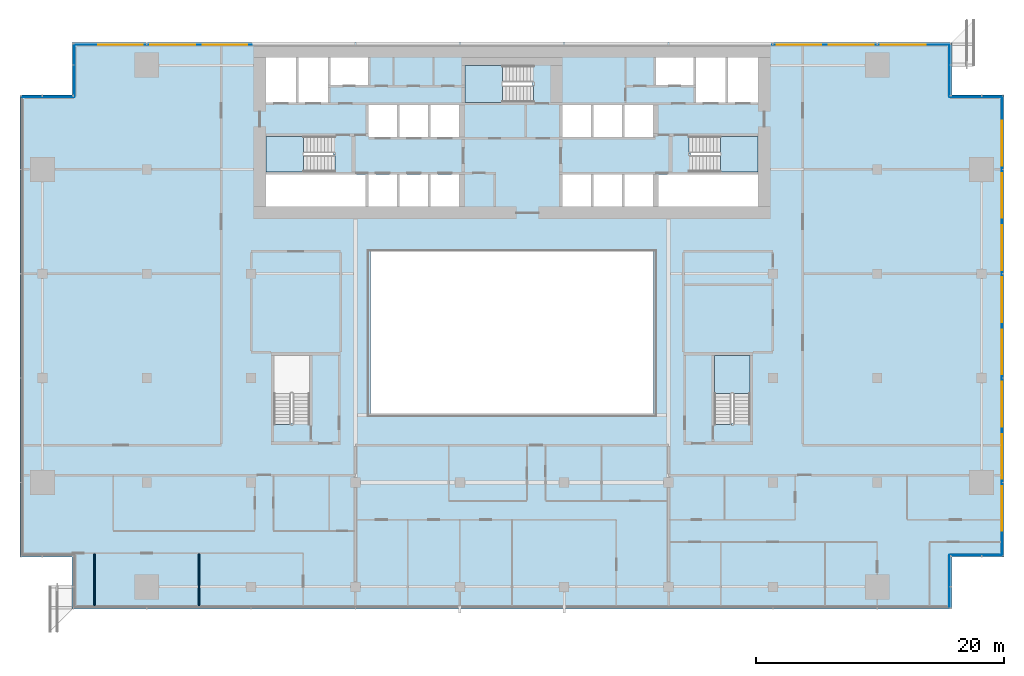
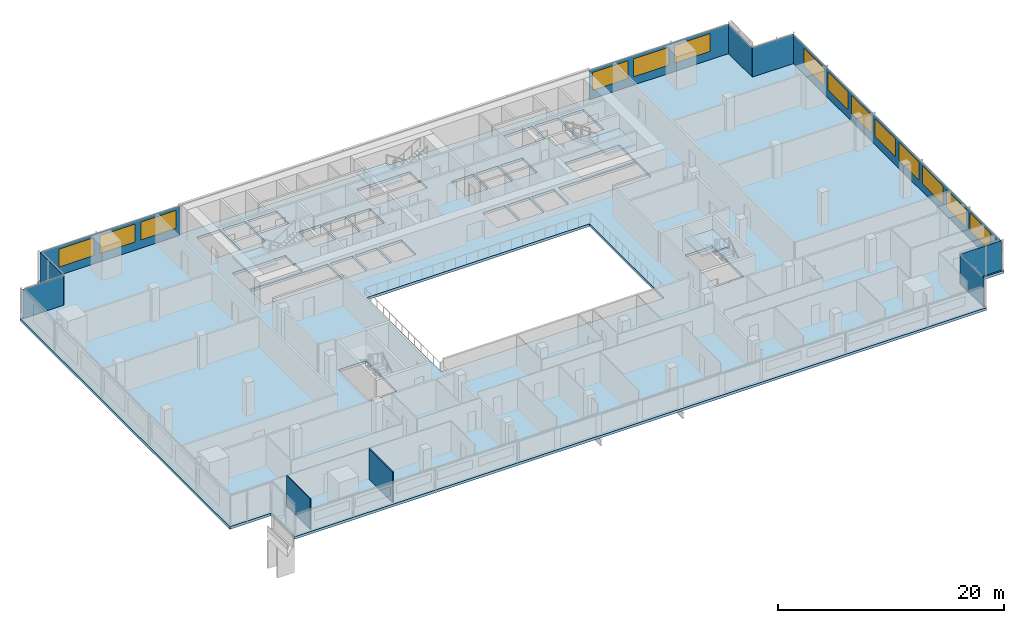
# One storey, part 16 of 26: 14 windows, 9 plates, 5 slabs, 2 walls, 14 openings, 12 elements without a shape of their own.
"""IFC4 building model written with IfcOpenShell, lengths in metres."""

from ifc_helpers import new_model, si_unit, direction, frame, frame_2d, origin, place, context, subcontext, project, spatial, polyline, rectangle, outline, extrude, material, layer, layer_set, type_object, element, fill, aggregate, save


model = new_model("IFC4")

# Units and contexts
model_context = context("Model", 3, precision=1e-05, world=origin(), true_north=direction((0.0, 1.0)))
body_context = subcontext(model_context, "Body", "Model", "MODEL_VIEW")
ifc_project = project(units=[si_unit("LENGTHUNIT", "METRE"), si_unit("AREAUNIT", "SQUARE_METRE"), si_unit("VOLUMEUNIT", "CUBIC_METRE"), si_unit("PLANEANGLEUNIT", "RADIAN"), si_unit("MASSUNIT", "GRAM", prefix="KILO")], contexts=[model_context])

# Site, building, storey
site_placement = place(None, origin())
site = spatial("IfcSite", under=ifc_project, at=site_placement, CompositionType="ELEMENT")
building_placement = place(site_placement, origin())
building = spatial("IfcBuilding", under=site, at=building_placement, Name="Saffron Gate Tower", CompositionType="ELEMENT")
storey_placement = place(building_placement, frame((0.0, 0.0, 138.449951171875)))
storey = spatial("IfcBuildingStorey", under=building, at=storey_placement, Name="L33", CompositionType="ELEMENT", Elevation=138.449951171875)

# Curtain wall, plate, openings, windows
ifc_material_1 = material(Name="Aluminium, bronze anodised", Category="aluminium")
curtain_wall_type_1 = type_object("IfcCurtainWallType", Name="CWS2 curtain wall side facades", PredefinedType="NOTDEFINED", material=ifc_material_1)
curtain_wall_1_placement = place(storey_placement, origin())
curtain_wall_1 = element("IfcCurtainWall", 1, at=curtain_wall_1_placement, inside=storey, type_object=curtain_wall_type_1, Name="CWS2 run 4", PredefinedType="NOTDEFINED")
ifc_material_2 = material(Name="Fritted bronze-tinted laminated glass", Category="glass")
ifc_layer_1 = layer(ifc_material_2, 0.028076171875)
ifc_layer_set_1 = layer_set([ifc_layer_1], Name="CWS2 fixed glass")
plate_type_1 = type_object("IfcPlateType", Name="CWS2 fixed glass", PredefinedType="CURTAIN_PANEL", material=ifc_layer_set_1)
plate_1_placement = place(storey_placement, frame((127.02587890625, 34.387939453125, 0.0), z_axis=(0.0, 0.0, 1.0), x_axis=(0.0, 1.0, 0.0)))
plate_1 = element("IfcPlate", 2, at=plate_1_placement, type_object=plate_type_1, Name="CWS2 glass panel", PredefinedType="CURTAIN_PANEL", context=body_context, shape_type="SweptSolid", body=[
    extrude(rectangle(XDim=36.823974609375, YDim=0.028076171875, at=frame_2d((18.412109375, 0.0))), origin(), (0.0, 0.0, 1.0), 3.179931640625),
])
opening_1_placement = place(plate_1_placement, frame((1.912109375, 0.0, 0.89990234375)))
opening_1 = element("IfcOpeningElement", 3, at=opening_1_placement, cuts=plate_1, Name="Opening W2", PredefinedType="OPENING", context=body_context, shape_type="SweptSolid", body=[
    extrude(rectangle(XDim=3.60009765625, YDim=1.929931640625, at=frame_2d((1.800048828125, 0.96484375))), frame((0.0, 0.02392578125, 0.0), z_axis=(0.0, -1.0, 0.0), x_axis=(1.0, 0.0, 0.0)), (0.0, 0.0, 1.0), 0.048095703125),
])
opening_2_placement = place(plate_1_placement, frame((6.112060546875, 0.0, 0.89990234375)))
opening_2 = element("IfcOpeningElement", 4, at=opening_2_placement, cuts=plate_1, Name="Opening W2", PredefinedType="OPENING", context=body_context, shape_type="SweptSolid", body=[
    extrude(rectangle(XDim=3.60009765625, YDim=1.929931640625, at=frame_2d((1.800048828125, 0.96484375))), frame((0.0, 0.02392578125, 0.0), z_axis=(0.0, -1.0, 0.0), x_axis=(1.0, 0.0, 0.0)), (0.0, 0.0, 1.0), 0.048095703125),
])
opening_3_placement = place(plate_1_placement, frame((10.31201171875, 0.0, 0.89990234375)))
opening_3 = element("IfcOpeningElement", 5, at=opening_3_placement, cuts=plate_1, Name="Opening W2", PredefinedType="OPENING", context=body_context, shape_type="SweptSolid", body=[
    extrude(rectangle(XDim=3.60009765625, YDim=1.929931640625, at=frame_2d((1.800048828125, 0.96484375))), frame((0.0, 0.02392578125, 0.0), z_axis=(0.0, -1.0, 0.0), x_axis=(1.0, 0.0, 0.0)), (0.0, 0.0, 1.0), 0.048095703125),
])
opening_4_placement = place(plate_1_placement, frame((14.511962890625, 0.0, 0.89990234375)))
opening_4 = element("IfcOpeningElement", 6, at=opening_4_placement, cuts=plate_1, Name="Opening W2", PredefinedType="OPENING", context=body_context, shape_type="SweptSolid", body=[
    extrude(rectangle(XDim=3.60009765625, YDim=1.929931640625, at=frame_2d((1.800048828125, 0.96484375))), frame((0.0, 0.02392578125, 0.0), z_axis=(0.0, -1.0, 0.0), x_axis=(1.0, 0.0, 0.0)), (0.0, 0.0, 1.0), 0.048095703125),
])
opening_5_placement = place(plate_1_placement, frame((18.7119140625, 0.0, 0.89990234375)))
opening_5 = element("IfcOpeningElement", 7, at=opening_5_placement, cuts=plate_1, Name="Opening W2", PredefinedType="OPENING", context=body_context, shape_type="SweptSolid", body=[
    extrude(rectangle(XDim=3.60009765625, YDim=1.929931640625, at=frame_2d((1.800048828125, 0.96484375))), frame((0.0, 0.02392578125, 0.0), z_axis=(0.0, -1.0, 0.0), x_axis=(1.0, 0.0, 0.0)), (0.0, 0.0, 1.0), 0.048095703125),
])
opening_6_placement = place(plate_1_placement, frame((22.912109375, 0.0, 0.89990234375)))
opening_6 = element("IfcOpeningElement", 8, at=opening_6_placement, cuts=plate_1, Name="Opening W2", PredefinedType="OPENING", context=body_context, shape_type="SweptSolid", body=[
    extrude(rectangle(XDim=3.60009765625, YDim=1.929931640625, at=frame_2d((1.800048828125, 0.96484375))), frame((0.0, 0.02392578125, 0.0), z_axis=(0.0, -1.0, 0.0), x_axis=(1.0, 0.0, 0.0)), (0.0, 0.0, 1.0), 0.048095703125),
])
opening_7_placement = place(plate_1_placement, frame((27.112060546875, 0.0, 0.89990234375)))
opening_7 = element("IfcOpeningElement", 9, at=opening_7_placement, cuts=plate_1, Name="Opening W2", PredefinedType="OPENING", context=body_context, shape_type="SweptSolid", body=[
    extrude(rectangle(XDim=3.60009765625, YDim=1.929931640625, at=frame_2d((1.800048828125, 0.96484375))), frame((0.0, 0.02392578125, 0.0), z_axis=(0.0, -1.0, 0.0), x_axis=(1.0, 0.0, 0.0)), (0.0, 0.0, 1.0), 0.048095703125),
])
opening_8_placement = place(plate_1_placement, frame((31.31201171875, 0.0, 0.89990234375)))
opening_8 = element("IfcOpeningElement", 10, at=opening_8_placement, cuts=plate_1, Name="Opening W2", PredefinedType="OPENING", context=body_context, shape_type="SweptSolid", body=[
    extrude(rectangle(XDim=3.60009765625, YDim=1.929931640625, at=frame_2d((1.800048828125, 0.96484375))), frame((0.0, 0.02392578125, 0.0), z_axis=(0.0, -1.0, 0.0), x_axis=(1.0, 0.0, 0.0)), (0.0, 0.0, 1.0), 0.048095703125),
])
ifc_material_3 = material(Name="Fritted bronze-tinted laminated glass in bronze frame", Category="glass")
ifc_layer_2 = layer(ifc_material_3, 0.06005859375)
ifc_layer_set_2 = layer_set([ifc_layer_2], Name="W2 operable panel 3600x1930")
window_type = type_object("IfcWindowType", Name="W2 operable panel 3600x1930", PartitioningType="DOUBLE_PANEL_HORIZONTAL", PredefinedType="WINDOW", material=ifc_layer_set_2)
window_1_placement = place(opening_1_placement, origin())
window_1 = element("IfcWindow", 11, at=window_1_placement, type_object=window_type, Name="W2 operable panel", OverallHeight=1.929931640625, OverallWidth=3.60009765625, PartitioningType="SINGLE_PANEL", PredefinedType="WINDOW", context=body_context, shape_type="SweptSolid", body=[
    extrude(rectangle(XDim=3.60009765625, YDim=1.929931640625, at=frame_2d((1.800048828125, 0.96484375))), frame((0.0, 0.013671875, 0.0), z_axis=(0.0, -1.0, 0.0), x_axis=(1.0, 0.0, 0.0)), (0.0, 0.0, 1.0), 0.027587890625),
])
fill(opening_1, window_1)
window_2_placement = place(opening_2_placement, origin())
window_2 = element("IfcWindow", 12, at=window_2_placement, type_object=window_type, Name="W2 operable panel", OverallHeight=1.929931640625, OverallWidth=3.60009765625, PartitioningType="SINGLE_PANEL", PredefinedType="WINDOW", context=body_context, shape_type="SweptSolid", body=[
    extrude(rectangle(XDim=3.60009765625, YDim=1.929931640625, at=frame_2d((1.800048828125, 0.96484375))), frame((0.0, 0.013671875, 0.0), z_axis=(0.0, -1.0, 0.0), x_axis=(1.0, 0.0, 0.0)), (0.0, 0.0, 1.0), 0.027587890625),
])
fill(opening_2, window_2)
window_3_placement = place(opening_3_placement, origin())
window_3 = element("IfcWindow", 13, at=window_3_placement, type_object=window_type, Name="W2 operable panel", OverallHeight=1.929931640625, OverallWidth=3.60009765625, PartitioningType="SINGLE_PANEL", PredefinedType="WINDOW", context=body_context, shape_type="SweptSolid", body=[
    extrude(rectangle(XDim=3.60009765625, YDim=1.929931640625, at=frame_2d((1.800048828125, 0.96484375))), frame((0.0, 0.013671875, 0.0), z_axis=(0.0, -1.0, 0.0), x_axis=(1.0, 0.0, 0.0)), (0.0, 0.0, 1.0), 0.027587890625),
])
fill(opening_3, window_3)
window_4_placement = place(opening_4_placement, origin())
window_4 = element("IfcWindow", 14, at=window_4_placement, type_object=window_type, Name="W2 operable panel", OverallHeight=1.929931640625, OverallWidth=3.60009765625, PartitioningType="SINGLE_PANEL", PredefinedType="WINDOW", context=body_context, shape_type="SweptSolid", body=[
    extrude(rectangle(XDim=3.60009765625, YDim=1.929931640625, at=frame_2d((1.800048828125, 0.96484375))), frame((0.0, 0.013671875, 0.0), z_axis=(0.0, -1.0, 0.0), x_axis=(1.0, 0.0, 0.0)), (0.0, 0.0, 1.0), 0.027587890625),
])
fill(opening_4, window_4)
window_5_placement = place(opening_5_placement, origin())
window_5 = element("IfcWindow", 15, at=window_5_placement, type_object=window_type, Name="W2 operable panel", OverallHeight=1.929931640625, OverallWidth=3.60009765625, PartitioningType="SINGLE_PANEL", PredefinedType="WINDOW", context=body_context, shape_type="SweptSolid", body=[
    extrude(rectangle(XDim=3.60009765625, YDim=1.929931640625, at=frame_2d((1.800048828125, 0.96484375))), frame((0.0, 0.013671875, 0.0), z_axis=(0.0, -1.0, 0.0), x_axis=(1.0, 0.0, 0.0)), (0.0, 0.0, 1.0), 0.027587890625),
])
fill(opening_5, window_5)
window_6_placement = place(opening_6_placement, origin())
window_6 = element("IfcWindow", 16, at=window_6_placement, type_object=window_type, Name="W2 operable panel", OverallHeight=1.929931640625, OverallWidth=3.60009765625, PartitioningType="SINGLE_PANEL", PredefinedType="WINDOW", context=body_context, shape_type="SweptSolid", body=[
    extrude(rectangle(XDim=3.60009765625, YDim=1.929931640625, at=frame_2d((1.800048828125, 0.96484375))), frame((0.0, 0.013671875, 0.0), z_axis=(0.0, -1.0, 0.0), x_axis=(1.0, 0.0, 0.0)), (0.0, 0.0, 1.0), 0.027587890625),
])
fill(opening_6, window_6)
window_7_placement = place(opening_7_placement, origin())
window_7 = element("IfcWindow", 17, at=window_7_placement, type_object=window_type, Name="W2 operable panel", OverallHeight=1.929931640625, OverallWidth=3.60009765625, PartitioningType="SINGLE_PANEL", PredefinedType="WINDOW", context=body_context, shape_type="SweptSolid", body=[
    extrude(rectangle(XDim=3.60009765625, YDim=1.929931640625, at=frame_2d((1.800048828125, 0.96484375))), frame((0.0, 0.013671875, 0.0), z_axis=(0.0, -1.0, 0.0), x_axis=(1.0, 0.0, 0.0)), (0.0, 0.0, 1.0), 0.027587890625),
])
fill(opening_7, window_7)
window_8_placement = place(opening_8_placement, origin())
window_8 = element("IfcWindow", 18, at=window_8_placement, type_object=window_type, Name="W2 operable panel", OverallHeight=1.929931640625, OverallWidth=3.60009765625, PartitioningType="SINGLE_PANEL", PredefinedType="WINDOW", context=body_context, shape_type="SweptSolid", body=[
    extrude(rectangle(XDim=3.60009765625, YDim=1.929931640625, at=frame_2d((1.800048828125, 0.96484375))), frame((0.0, 0.013671875, 0.0), z_axis=(0.0, -1.0, 0.0), x_axis=(1.0, 0.0, 0.0)), (0.0, 0.0, 1.0), 0.027587890625),
])
fill(opening_8, window_8)
aggregate(curtain_wall_1, [plate_1, window_1, window_2, window_3, window_4, window_5, window_6, window_7, window_8])

# Curtain wall, plates, openings, windows
curtain_wall_type_2 = type_object("IfcCurtainWallType", Name="CWS3 curtain wall rear facade", PredefinedType="NOTDEFINED", material=ifc_material_1)
curtain_wall_2_placement = place(storey_placement, origin())
curtain_wall_2 = element("IfcCurtainWall", 19, at=curtain_wall_2_placement, inside=storey, type_object=curtain_wall_type_2, Name="CWS3 run 7", PredefinedType="NOTDEFINED")
ifc_material_4 = material(Name="Fritted grey-tinted laminated glass", Category="glass")
ifc_layer_3 = layer(ifc_material_4, 0.028076171875)
ifc_layer_set_3 = layer_set([ifc_layer_3], Name="CWS3 fixed glass")
plate_type_2 = type_object("IfcPlateType", Name="CWS3 fixed glass", PredefinedType="CURTAIN_PANEL", material=ifc_layer_set_3)
plate_2_placement = place(storey_placement, frame((122.81201171875, 75.426025390625, 0.0), z_axis=(0.0, 0.0, 1.0), x_axis=(-1.0, 0.0, 0.0)))
plate_2 = element("IfcPlate", 20, at=plate_2_placement, type_object=plate_type_2, Name="CWS3 glass panel", PredefinedType="CURTAIN_PANEL", context=body_context, shape_type="SweptSolid", body=[
    extrude(rectangle(XDim=14.2470703125, YDim=0.028076171875, at=frame_2d((7.12353515625, 0.0))), origin(), (0.0, 0.0, 1.0), 3.179931640625),
])
opening_9_placement = place(plate_2_placement, frame((1.912109375, 0.0, 0.89990234375)))
opening_9 = element("IfcOpeningElement", 21, at=opening_9_placement, cuts=plate_2, Name="Opening W2", PredefinedType="OPENING", context=body_context, shape_type="SweptSolid", body=[
    extrude(rectangle(XDim=3.60009765625, YDim=1.929931640625, at=frame_2d((1.800048828125, 0.96484375))), frame((0.0, 0.02392578125, 0.0), z_axis=(0.0, -1.0, 0.0), x_axis=(1.0, 0.0, 0.0)), (0.0, 0.0, 1.0), 0.048095703125),
])
opening_10_placement = place(plate_2_placement, frame((6.112060546875, 0.0, 0.89990234375)))
opening_10 = element("IfcOpeningElement", 22, at=opening_10_placement, cuts=plate_2, Name="Opening W2", PredefinedType="OPENING", context=body_context, shape_type="SweptSolid", body=[
    extrude(rectangle(XDim=3.60009765625, YDim=1.929931640625, at=frame_2d((1.800048828125, 0.96484375))), frame((0.0, 0.02392578125, 0.0), z_axis=(0.0, -1.0, 0.0), x_axis=(1.0, 0.0, 0.0)), (0.0, 0.0, 1.0), 0.048095703125),
])
opening_11_placement = place(plate_2_placement, frame((10.31201171875, 0.0, 0.89990234375)))
opening_11 = element("IfcOpeningElement", 23, at=opening_11_placement, cuts=plate_2, Name="Opening W2", PredefinedType="OPENING", context=body_context, shape_type="SweptSolid", body=[
    extrude(rectangle(XDim=3.60009765625, YDim=1.929931640625, at=frame_2d((1.800048828125, 0.96484375))), frame((0.0, 0.02392578125, 0.0), z_axis=(0.0, -1.0, 0.0), x_axis=(1.0, 0.0, 0.0)), (0.0, 0.0, 1.0), 0.048095703125),
])
window_9_placement = place(opening_9_placement, origin())
window_9 = element("IfcWindow", 24, at=window_9_placement, type_object=window_type, Name="W2 operable panel", OverallHeight=1.929931640625, OverallWidth=3.60009765625, PartitioningType="SINGLE_PANEL", PredefinedType="WINDOW", context=body_context, shape_type="SweptSolid", body=[
    extrude(rectangle(XDim=3.60009765625, YDim=1.929931640625, at=frame_2d((1.800048828125, 0.96484375))), frame((0.0, 0.013671875, 0.0), z_axis=(0.0, -1.0, 0.0), x_axis=(1.0, 0.0, 0.0)), (0.0, 0.0, 1.0), 0.027587890625),
])
fill(opening_9, window_9)
window_10_placement = place(opening_10_placement, origin())
window_10 = element("IfcWindow", 25, at=window_10_placement, type_object=window_type, Name="W2 operable panel", OverallHeight=1.929931640625, OverallWidth=3.60009765625, PartitioningType="SINGLE_PANEL", PredefinedType="WINDOW", context=body_context, shape_type="SweptSolid", body=[
    extrude(rectangle(XDim=3.60009765625, YDim=1.929931640625, at=frame_2d((1.800048828125, 0.96484375))), frame((0.0, 0.013671875, 0.0), z_axis=(0.0, -1.0, 0.0), x_axis=(1.0, 0.0, 0.0)), (0.0, 0.0, 1.0), 0.027587890625),
])
fill(opening_10, window_10)
window_11_placement = place(opening_11_placement, origin())
window_11 = element("IfcWindow", 26, at=window_11_placement, type_object=window_type, Name="W2 operable panel", OverallHeight=1.929931640625, OverallWidth=3.60009765625, PartitioningType="SINGLE_PANEL", PredefinedType="WINDOW", context=body_context, shape_type="SweptSolid", body=[
    extrude(rectangle(XDim=3.60009765625, YDim=1.929931640625, at=frame_2d((1.800048828125, 0.96484375))), frame((0.0, 0.013671875, 0.0), z_axis=(0.0, -1.0, 0.0), x_axis=(1.0, 0.0, 0.0)), (0.0, 0.0, 1.0), 0.027587890625),
])
fill(opening_11, window_11)
plate_3_placement = place(storey_placement, frame((66.635009765625, 75.426025390625, 0.0), z_axis=(0.0, 0.0, 1.0), x_axis=(-1.0, 0.0, 0.0)))
plate_3 = element("IfcPlate", 27, at=plate_3_placement, type_object=plate_type_2, Name="CWS3 glass panel", PredefinedType="CURTAIN_PANEL", context=body_context, shape_type="SweptSolid", body=[
    extrude(rectangle(XDim=14.2470703125, YDim=0.028076171875, at=frame_2d((7.12353515625, 0.0))), origin(), (0.0, 0.0, 1.0), 3.179931640625),
])
opening_12_placement = place(plate_3_placement, frame((0.3349609375, 0.0, 0.89990234375)))
opening_12 = element("IfcOpeningElement", 28, at=opening_12_placement, cuts=plate_3, Name="Opening W2", PredefinedType="OPENING", context=body_context, shape_type="SweptSolid", body=[
    extrude(rectangle(XDim=3.60009765625, YDim=1.929931640625, at=frame_2d((1.800048828125, 0.96484375))), frame((0.0, 0.02392578125, 0.0), z_axis=(0.0, -1.0, 0.0), x_axis=(1.0, 0.0, 0.0)), (0.0, 0.0, 1.0), 0.048095703125),
])
opening_13_placement = place(plate_3_placement, frame((4.534912109375, 0.0, 0.89990234375)))
opening_13 = element("IfcOpeningElement", 29, at=opening_13_placement, cuts=plate_3, Name="Opening W2", PredefinedType="OPENING", context=body_context, shape_type="SweptSolid", body=[
    extrude(rectangle(XDim=3.60009765625, YDim=1.929931640625, at=frame_2d((1.800048828125, 0.96484375))), frame((0.0, 0.02392578125, 0.0), z_axis=(0.0, -1.0, 0.0), x_axis=(1.0, 0.0, 0.0)), (0.0, 0.0, 1.0), 0.048095703125),
])
opening_14_placement = place(plate_3_placement, frame((8.735107421875, 0.0, 0.89990234375)))
opening_14 = element("IfcOpeningElement", 30, at=opening_14_placement, cuts=plate_3, Name="Opening W2", PredefinedType="OPENING", context=body_context, shape_type="SweptSolid", body=[
    extrude(rectangle(XDim=3.60009765625, YDim=1.929931640625, at=frame_2d((1.800048828125, 0.96484375))), frame((0.0, 0.02392578125, 0.0), z_axis=(0.0, -1.0, 0.0), x_axis=(1.0, 0.0, 0.0)), (0.0, 0.0, 1.0), 0.048095703125),
])
window_12_placement = place(opening_12_placement, origin())
window_12 = element("IfcWindow", 31, at=window_12_placement, type_object=window_type, Name="W2 operable panel", OverallHeight=1.929931640625, OverallWidth=3.60009765625, PartitioningType="SINGLE_PANEL", PredefinedType="WINDOW", context=body_context, shape_type="SweptSolid", body=[
    extrude(rectangle(XDim=3.60009765625, YDim=1.929931640625, at=frame_2d((1.800048828125, 0.96484375))), frame((0.0, 0.013671875, 0.0), z_axis=(0.0, -1.0, 0.0), x_axis=(1.0, 0.0, 0.0)), (0.0, 0.0, 1.0), 0.027587890625),
])
fill(opening_12, window_12)
window_13_placement = place(opening_13_placement, origin())
window_13 = element("IfcWindow", 32, at=window_13_placement, type_object=window_type, Name="W2 operable panel", OverallHeight=1.929931640625, OverallWidth=3.60009765625, PartitioningType="SINGLE_PANEL", PredefinedType="WINDOW", context=body_context, shape_type="SweptSolid", body=[
    extrude(rectangle(XDim=3.60009765625, YDim=1.929931640625, at=frame_2d((1.800048828125, 0.96484375))), frame((0.0, 0.013671875, 0.0), z_axis=(0.0, -1.0, 0.0), x_axis=(1.0, 0.0, 0.0)), (0.0, 0.0, 1.0), 0.027587890625),
])
fill(opening_13, window_13)
window_14_placement = place(opening_14_placement, origin())
window_14 = element("IfcWindow", 33, at=window_14_placement, type_object=window_type, Name="W2 operable panel", OverallHeight=1.929931640625, OverallWidth=3.60009765625, PartitioningType="SINGLE_PANEL", PredefinedType="WINDOW", context=body_context, shape_type="SweptSolid", body=[
    extrude(rectangle(XDim=3.60009765625, YDim=1.929931640625, at=frame_2d((1.800048828125, 0.96484375))), frame((0.0, 0.013671875, 0.0), z_axis=(0.0, -1.0, 0.0), x_axis=(1.0, 0.0, 0.0)), (0.0, 0.0, 1.0), 0.027587890625),
])
fill(opening_14, window_14)
aggregate(curtain_wall_2, [plate_2, plate_3, window_9, window_10, window_11, window_12, window_13, window_14])

# Curtain wall, plate
curtain_wall_type_3 = type_object("IfcCurtainWallType", Name="CWS4 curtain wall corner returns", PredefinedType="NOTDEFINED", material=ifc_material_1)
curtain_wall_3_placement = place(storey_placement, origin())
curtain_wall_3 = element("IfcCurtainWall", 34, at=curtain_wall_3_placement, inside=storey, type_object=curtain_wall_type_3, Name="CWS4 run 2", PredefinedType="NOTDEFINED")
ifc_layer_4 = layer(ifc_material_2, 0.028076171875)
ifc_layer_set_4 = layer_set([ifc_layer_4], Name="CWS4 fixed glass")
plate_type_3 = type_object("IfcPlateType", Name="CWS4 fixed glass", PredefinedType="CURTAIN_PANEL", material=ifc_layer_set_4)
plate_4_placement = place(storey_placement, frame((122.825927734375, 30.18798828125, 0.0), z_axis=(0.0, 0.0, 1.0), x_axis=(0.0, 1.0, 0.0)))
plate_4 = element("IfcPlate", 35, at=plate_4_placement, type_object=plate_type_3, Name="CWS4 glass panel", PredefinedType="CURTAIN_PANEL", context=body_context, shape_type="SweptSolid", body=[
    extrude(rectangle(XDim=4.172119140625, YDim=0.028076171875, at=frame_2d((2.0859375, 0.0))), origin(), (0.0, 0.0, 1.0), 3.179931640625),
])
aggregate(curtain_wall_3, [plate_4])

curtain_wall_4_placement = place(storey_placement, origin())
curtain_wall_4 = element("IfcCurtainWall", 36, at=curtain_wall_4_placement, inside=storey, type_object=curtain_wall_type_3, Name="CWS4 run 3", PredefinedType="NOTDEFINED")
plate_5_placement = place(storey_placement, frame((122.840087890625, 34.3740234375, 0.0), z_axis=(0.0, 0.0, 1.0), x_axis=(1.0, 0.0, 0.0)))
plate_5 = element("IfcPlate", 37, at=plate_5_placement, type_object=plate_type_3, Name="CWS4 glass panel", PredefinedType="CURTAIN_PANEL", context=body_context, shape_type="SweptSolid", body=[
    extrude(rectangle(XDim=4.171875, YDim=0.028076171875, at=frame_2d((2.0859375, 0.0))), origin(), (0.0, 0.0, 1.0), 3.179931640625),
])
aggregate(curtain_wall_4, [plate_5])

curtain_wall_5_placement = place(storey_placement, origin())
curtain_wall_5 = element("IfcCurtainWall", 38, at=curtain_wall_5_placement, inside=storey, type_object=curtain_wall_type_3, Name="CWS4 run 5", PredefinedType="NOTDEFINED")
plate_6_placement = place(storey_placement, frame((127.011962890625, 71.22607421875, 0.0), z_axis=(0.0, 0.0, 1.0), x_axis=(-1.0, 0.0, 0.0)))
plate_6 = element("IfcPlate", 39, at=plate_6_placement, type_object=plate_type_3, Name="CWS4 glass panel", PredefinedType="CURTAIN_PANEL", context=body_context, shape_type="SweptSolid", body=[
    extrude(rectangle(XDim=4.171875, YDim=0.028076171875, at=frame_2d((2.0859375, 0.0))), origin(), (0.0, 0.0, 1.0), 3.179931640625),
])
aggregate(curtain_wall_5, [plate_6])

curtain_wall_6_placement = place(storey_placement, origin())
curtain_wall_6 = element("IfcCurtainWall", 40, at=curtain_wall_6_placement, inside=storey, type_object=curtain_wall_type_3, Name="CWS4 run 6", PredefinedType="NOTDEFINED")
plate_7_placement = place(storey_placement, frame((122.825927734375, 71.239990234375, 0.0), z_axis=(0.0, 0.0, 1.0), x_axis=(0.0, 1.0, 0.0)))
plate_7 = element("IfcPlate", 41, at=plate_7_placement, type_object=plate_type_3, Name="CWS4 glass panel", PredefinedType="CURTAIN_PANEL", context=body_context, shape_type="SweptSolid", body=[
    extrude(rectangle(XDim=4.172119140625, YDim=0.028076171875, at=frame_2d((2.0859375, 0.0))), origin(), (0.0, 0.0, 1.0), 3.179931640625),
])
aggregate(curtain_wall_6, [plate_7])

curtain_wall_7_placement = place(storey_placement, origin())
curtain_wall_7 = element("IfcCurtainWall", 42, at=curtain_wall_7_placement, inside=storey, type_object=curtain_wall_type_3, Name="CWS4 run 8", PredefinedType="NOTDEFINED")
plate_8_placement = place(storey_placement, frame((52.3740234375, 75.412109375, 0.0), z_axis=(0.0, 0.0, 1.0), x_axis=(0.0, -1.0, 0.0)))
plate_8 = element("IfcPlate", 43, at=plate_8_placement, type_object=plate_type_3, Name="CWS4 glass panel", PredefinedType="CURTAIN_PANEL", context=body_context, shape_type="SweptSolid", body=[
    extrude(rectangle(XDim=4.172119140625, YDim=0.028076171875, at=frame_2d((2.0859375, 0.0))), origin(), (0.0, 0.0, 1.0), 3.179931640625),
])
aggregate(curtain_wall_7, [plate_8])

curtain_wall_8_placement = place(storey_placement, origin())
curtain_wall_8 = element("IfcCurtainWall", 44, at=curtain_wall_8_placement, inside=storey, type_object=curtain_wall_type_3, Name="CWS4 run 9", PredefinedType="NOTDEFINED")
plate_9_placement = place(storey_placement, frame((52.360107421875, 71.22607421875, 0.0), z_axis=(0.0, 0.0, 1.0), x_axis=(-1.0, 0.0, 0.0)))
plate_9 = element("IfcPlate", 45, at=plate_9_placement, type_object=plate_type_3, Name="CWS4 glass panel", PredefinedType="CURTAIN_PANEL", context=body_context, shape_type="SweptSolid", body=[
    extrude(rectangle(XDim=4.172119140625, YDim=0.028076171875, at=frame_2d((2.0859375, 0.0))), origin(), (0.0, 0.0, 1.0), 3.179931640625),
])
aggregate(curtain_wall_8, [plate_9])

# Slab
ifc_material_5 = material(Name="Concrete C40", Category="concrete")
ifc_layer_5 = layer(ifc_material_5, 0.280029296875)
ifc_layer_set_5 = layer_set([ifc_layer_5], Name="S2 FLOOR SLAB 280 CONCRETE C40")
slab_type_1 = type_object("IfcSlabType", Name="S2 FLOOR SLAB 280 CONCRETE C40", PredefinedType="FLOOR", material=ifc_layer_set_5)
slab_1_placement = place(storey_placement, frame((0.0, 0.0, -0.280029296875)))
element("IfcSlab", 46, at=slab_1_placement, inside=storey, type_object=slab_type_1, Name="S2 FLOOR SLAB", PredefinedType="FLOOR", context=body_context, shape_type="SweptSolid", body=[
    extrude(outline(polyline([(48.0, 34.199951171875), (52.199951171875, 34.199951171875), (52.199951171875, 30.0), (123.0, 30.0), (123.0, 34.199951171875), (127.199951171875, 34.199951171875), (127.199951171875, 71.39990234375), (123.0, 71.39990234375), (123.0, 75.60009765625), (52.199951171875, 75.60009765625), (52.199951171875, 71.39990234375), (48.0, 71.39990234375), (48.0, 34.199951171875)]), holes=[polyline([(67.800048828125, 62.39990234375), (67.800048828125, 65.0), (75.800048828125, 65.0), (75.800048828125, 62.39990234375), (67.800048828125, 62.39990234375)]), polyline([(67.800048828125, 65.199951171875), (67.800048828125, 68.050048828125), (73.25, 68.050048828125), (73.25, 66.550048828125), (73.34912109375, 66.550048828125), (73.34912109375, 65.199951171875), (67.800048828125, 65.199951171875)]), polyline([(67.800048828125, 70.800048828125), (67.800048828125, 74.39990234375), (70.199951171875, 74.39990234375), (70.199951171875, 70.800048828125), (67.800048828125, 70.800048828125)]), polyline([(68.449951171875, 44.85107421875), (68.449951171875, 50.39990234375), (71.300048828125, 50.39990234375), (71.300048828125, 44.949951171875), (69.800048828125, 44.949951171875), (69.800048828125, 44.85107421875), (68.449951171875, 44.85107421875)]), polyline([(70.39990234375, 70.800048828125), (70.39990234375, 74.39990234375), (72.800048828125, 74.39990234375), (72.800048828125, 70.800048828125), (70.39990234375, 70.800048828125)]), polyline([(73.0, 72.199951171875), (73.0, 74.39990234375), (76.0, 74.39990234375), (76.0, 72.199951171875), (73.0, 72.199951171875)]), polyline([(76.050048828125, 62.39990234375), (76.050048828125, 65.0), (78.35009765625, 65.0), (78.35009765625, 62.39990234375), (76.050048828125, 62.39990234375)]), polyline([(76.050048828125, 68.0), (76.050048828125, 70.60009765625), (78.35009765625, 70.60009765625), (78.35009765625, 68.0), (76.050048828125, 68.0)]), polyline([(76.199951171875, 45.60009765625), (76.199951171875, 58.800048828125), (99.0, 58.800048828125), (99.0, 45.60009765625), (76.199951171875, 45.60009765625)]), polyline([(78.550048828125, 62.39990234375), (78.550048828125, 65.0), (80.85009765625, 65.0), (80.85009765625, 62.39990234375), (78.550048828125, 62.39990234375)]), polyline([(78.550048828125, 68.0), (78.550048828125, 70.60009765625), (80.85009765625, 70.60009765625), (80.85009765625, 68.0), (78.550048828125, 68.0)]), polyline([(81.050048828125, 62.39990234375), (81.050048828125, 65.0), (83.35009765625, 65.0), (83.35009765625, 62.39990234375), (81.050048828125, 62.39990234375)]), polyline([(81.050048828125, 68.0), (81.050048828125, 70.60009765625), (83.35009765625, 70.60009765625), (83.35009765625, 68.0), (81.050048828125, 68.0)]), polyline([(83.800048828125, 70.800048828125), (83.800048828125, 73.75), (89.25, 73.75), (89.25, 72.14990234375), (89.34912109375, 72.14990234375), (89.34912109375, 70.800048828125), (83.800048828125, 70.800048828125)]), polyline([(91.64990234375, 62.39990234375), (91.64990234375, 65.0), (93.949951171875, 65.0), (93.949951171875, 62.39990234375), (91.64990234375, 62.39990234375)]), polyline([(91.64990234375, 68.0), (91.64990234375, 70.60009765625), (93.949951171875, 70.60009765625), (93.949951171875, 68.0), (91.64990234375, 68.0)]), polyline([(94.14990234375, 62.39990234375), (94.14990234375, 65.0), (96.449951171875, 65.0), (96.449951171875, 62.39990234375), (94.14990234375, 62.39990234375)]), polyline([(94.14990234375, 68.0), (94.14990234375, 70.60009765625), (96.449951171875, 70.60009765625), (96.449951171875, 68.0), (94.14990234375, 68.0)]), polyline([(96.64990234375, 62.39990234375), (96.64990234375, 65.0), (98.949951171875, 65.0), (98.949951171875, 62.39990234375), (96.64990234375, 62.39990234375)]), polyline([(96.64990234375, 68.0), (96.64990234375, 70.60009765625), (98.949951171875, 70.60009765625), (98.949951171875, 68.0), (96.64990234375, 68.0)]), polyline([(99.199951171875, 72.199951171875), (99.199951171875, 74.39990234375), (102.199951171875, 74.39990234375), (102.199951171875, 72.199951171875), (99.199951171875, 72.199951171875)]), polyline([(99.39990234375, 62.39990234375), (99.39990234375, 65.0), (107.39990234375, 65.0), (107.39990234375, 62.39990234375), (99.39990234375, 62.39990234375)]), polyline([(101.85107421875, 66.699951171875), (101.85107421875, 68.050048828125), (107.39990234375, 68.050048828125), (107.39990234375, 65.199951171875), (101.949951171875, 65.199951171875), (101.949951171875, 66.699951171875), (101.85107421875, 66.699951171875)]), polyline([(102.39990234375, 70.800048828125), (102.39990234375, 74.39990234375), (104.800048828125, 74.39990234375), (104.800048828125, 70.800048828125), (102.39990234375, 70.800048828125)]), polyline([(103.89990234375, 44.85107421875), (103.89990234375, 50.39990234375), (106.75, 50.39990234375), (106.75, 44.949951171875), (105.25, 44.949951171875), (105.25, 44.85107421875), (103.89990234375, 44.85107421875)]), polyline([(105.0, 70.800048828125), (105.0, 74.39990234375), (107.39990234375, 74.39990234375), (107.39990234375, 70.800048828125), (105.0, 70.800048828125)])]), origin(), (0.0, 0.0, 1.0), 0.280029296875),
])

# Stair, slab
stair_type = type_object("IfcStairType", Name="ST7 Stair 1350 wide, 20 risers of 180", PredefinedType="HALF_TURN_STAIR", material=ifc_material_5)
stair_1_placement = place(storey_placement, origin())
stair_1 = element("IfcStair", 47, at=stair_1_placement, inside=storey, type_object=stair_type, Name="L33 Exit stair A", PredefinedType="HALF_TURN_STAIR")
ifc_layer_6 = layer(ifc_material_5, 0.199951171875)
ifc_layer_set_6 = layer_set([ifc_layer_6], Name="SL1 Stair landing 200")
slab_type_2 = type_object("IfcSlabType", Name="SL1 Stair landing 200", PredefinedType="LANDING", material=ifc_layer_set_6)
slab_2_placement = place(storey_placement, frame((0.0, 0.0, 1.60009765625)))
slab_2 = element("IfcSlab", 48, at=slab_2_placement, type_object=slab_type_2, Name="ST-A landing 1", PredefinedType="LANDING", context=body_context, shape_type="SweptSolid", body=[
    extrude(outline(polyline([(70.830078125, 68.050048828125), (67.800048828125, 68.050048828125), (67.800048828125, 65.199951171875), (70.830078125, 65.199951171875), (70.830078125, 68.050048828125)])), origin(), (0.0, 0.0, 1.0), 0.199951171875),
])
aggregate(stair_1, [slab_2])

stair_2_placement = place(storey_placement, origin())
stair_2 = element("IfcStair", 49, at=stair_2_placement, inside=storey, type_object=stair_type, Name="L33 Exit stair B", PredefinedType="HALF_TURN_STAIR")
slab_3_placement = place(storey_placement, frame((0.0, 0.0, 1.60009765625)))
slab_3 = element("IfcSlab", 50, at=slab_3_placement, type_object=slab_type_2, Name="ST-B landing 1", PredefinedType="LANDING", context=body_context, shape_type="SweptSolid", body=[
    extrude(outline(polyline([(104.3701171875, 65.199951171875), (107.39990234375, 65.199951171875), (107.39990234375, 68.050048828125), (104.3701171875, 68.050048828125), (104.3701171875, 65.199951171875)])), origin(), (0.0, 0.0, 1.0), 0.199951171875),
])
aggregate(stair_2, [slab_3])

stair_3_placement = place(storey_placement, origin())
stair_3 = element("IfcStair", 51, at=stair_3_placement, inside=storey, type_object=stair_type, Name="L33 Exit stair C", PredefinedType="HALF_TURN_STAIR")
slab_4_placement = place(storey_placement, frame((0.0, 0.0, 1.60009765625)))
slab_4 = element("IfcSlab", 52, at=slab_4_placement, type_object=slab_type_2, Name="ST-C landing 1", PredefinedType="LANDING", context=body_context, shape_type="SweptSolid", body=[
    extrude(outline(polyline([(86.830078125, 73.75), (83.800048828125, 73.75), (83.800048828125, 70.800048828125), (86.830078125, 70.800048828125), (86.830078125, 73.75)])), origin(), (0.0, 0.0, 1.0), 0.199951171875),
])
aggregate(stair_3, [slab_4])

stair_4_placement = place(storey_placement, origin())
stair_4 = element("IfcStair", 53, at=stair_4_placement, inside=storey, type_object=stair_type, Name="L33 Exit stair E", PredefinedType="HALF_TURN_STAIR")
slab_5_placement = place(storey_placement, frame((0.0, 0.0, 1.60009765625)))
slab_5 = element("IfcSlab", 54, at=slab_5_placement, type_object=slab_type_2, Name="ST-E landing 1", PredefinedType="LANDING", context=body_context, shape_type="SweptSolid", body=[
    extrude(outline(polyline([(106.75, 47.3701171875), (106.75, 50.39990234375), (103.89990234375, 50.39990234375), (103.89990234375, 47.3701171875), (106.75, 47.3701171875)])), origin(), (0.0, 0.0, 1.0), 0.199951171875),
])
aggregate(stair_4, [slab_5])

# Walls
ifc_material_6 = material(Name="Plasterboard on steel studs", Category="steel")
ifc_layer_7 = layer(ifc_material_6, 0.10009765625)
ifc_layer_set_7 = layer_set([ifc_layer_7], Name="PW1 Partition 100")
wall_type = type_object("IfcWallType", Name="PW1 Partition 100", PredefinedType="PARTITIONING", material=ifc_layer_set_7)
for number, where, z_axis, x_axis, name in (
    (55, (54.0, 34.449951171875, 0.0), (0.0, 0.0, 1.0), (0.0, -1.0, 0.0), "Partition B5-35"),
    (56, (62.39990234375, 34.449951171875, 0.0), (0.0, 0.0, 1.0), (0.0, -1.0, 0.0), "Partition B5-37"),
):
    element("IfcWall", number, at=place(storey_placement, frame(where, z_axis=z_axis, x_axis=x_axis)), inside=storey, type_object=wall_type, Name=name, PredefinedType="PARTITIONING", context=body_context, shape_type="SweptSolid", body=[
        extrude(rectangle(XDim=4.169921875, YDim=0.10009765625, at=frame_2d((2.0849609375, 0.0))), origin(), (0.0, 0.0, 1.0), 3.300048828125),
    ])

save(model, "model.ifc")
